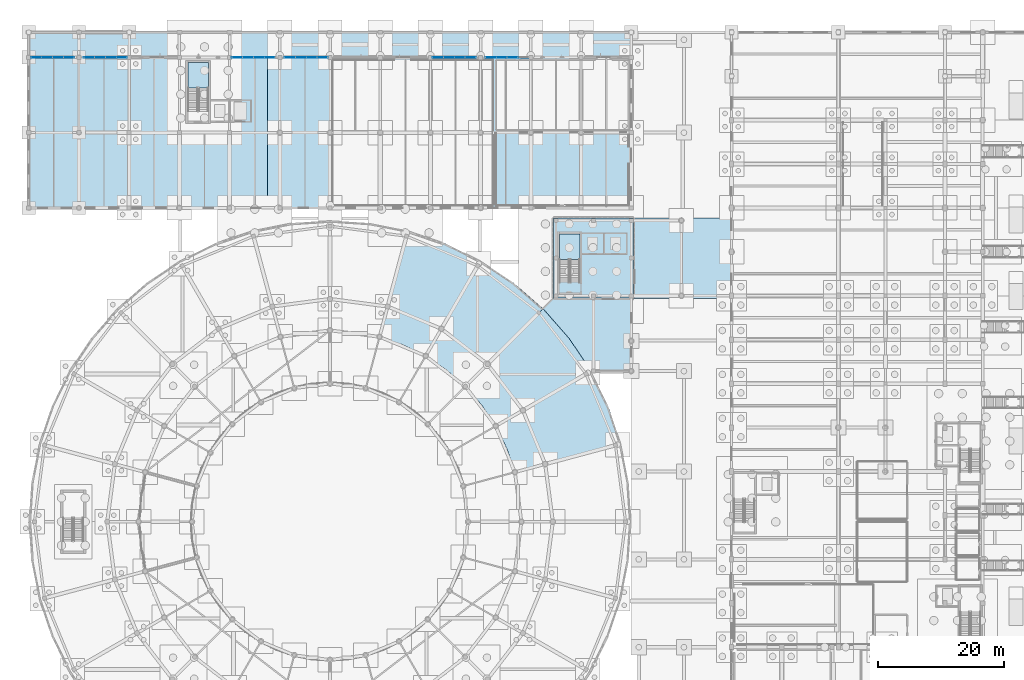
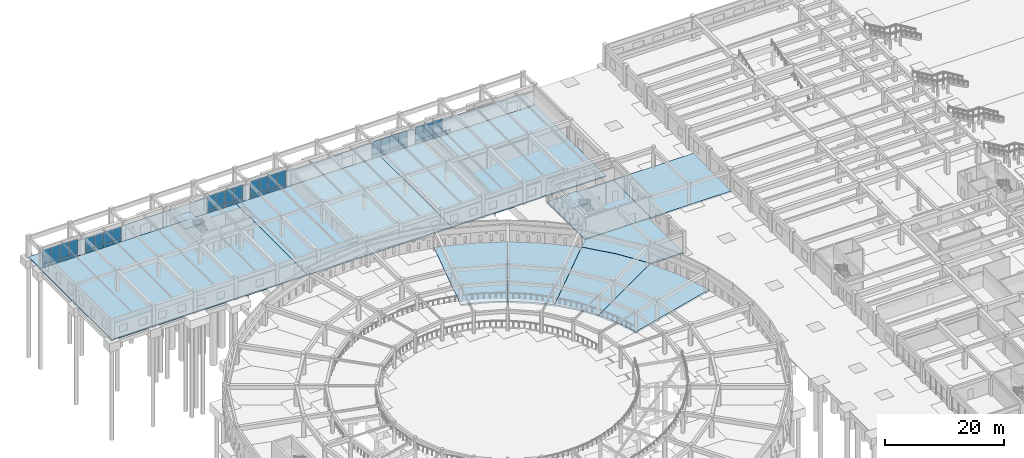
# One storey, part 38 of 84: 47 plates, 13 slabs, 8 elements without a shape of their own.
"""IFC4 building model written with IfcOpenShell, lengths in metres."""

from ifc_helpers import new_model, si_unit, direction, frame, origin, origin_2d, place, context, subcontext, project, spatial, polyline, rectangle, outline, extrude, material, layer, layer_set, type_object, element, aggregate, save


model = new_model("IFC4")

# Units and contexts
model_context = context("Model", 3, precision=1e-05, world=origin(), true_north=direction((0.0, 1.0)))
body_context = subcontext(model_context, "Body", "Model", "MODEL_VIEW")
ifc_project = project(units=[si_unit("LENGTHUNIT", "METRE"), si_unit("AREAUNIT", "SQUARE_METRE"), si_unit("VOLUMEUNIT", "CUBIC_METRE"), si_unit("PLANEANGLEUNIT", "RADIAN"), si_unit("MASSUNIT", "GRAM", prefix="KILO")], contexts=[model_context])

# Site, building, storey
site_placement = place(None, origin())
site = spatial("IfcSite", under=ifc_project, at=site_placement, CompositionType="ELEMENT")
building_placement = place(site_placement, origin())
building = spatial("IfcBuilding", under=site, at=building_placement, Name="Larkveld Mobility Hub", CompositionType="ELEMENT")
storey_placement = place(building_placement, origin())
storey = spatial("IfcBuildingStorey", under=building, at=storey_placement, Name="L00", CompositionType="ELEMENT", Elevation=0.0)

# Curtain wall, plates
ifc_material_1 = material(Name="Anodised aluminium 6063-T6", Category="aluminium")
curtain_wall_type_1 = type_object("IfcCurtainWallType", Name="CW-SYS-10", PredefinedType="NOTDEFINED", material=ifc_material_1)
curtain_wall_1_placement = place(storey_placement, origin())
curtain_wall_1 = element("IfcCurtainWall", 1, at=curtain_wall_1_placement, inside=storey, type_object=curtain_wall_type_1, Name="Bicycle Hall North Curtain Wall L00 CW-070", PredefinedType="NOTDEFINED")
ifc_material_2 = material(Name="Low-E laminated solar-control double glazing", Category="glass")
ifc_layer_1 = layer(ifc_material_2, 0.028076171875, Name="Low-E laminated solar-control double glazing", Category="glass")
ifc_layer_set_1 = layer_set([ifc_layer_1], Name="Low-E laminated solar-control double glazing")
plate_type_1 = type_object("IfcPlateType", Name="CW-PNL-GL01", PredefinedType="CURTAIN_PANEL", material=ifc_layer_set_1)
plate_1_placement = place(storey_placement, frame((46.779052734375, 122.0, 0.75), z_axis=(0.0, 0.0, 1.0), x_axis=(-1.0, 0.0, 0.0)))
plate_1 = element("IfcPlate", 2, at=plate_1_placement, type_object=plate_type_1, Name="CW10 panel 1", PredefinedType="CURTAIN_PANEL", context=body_context, shape_type="SweptSolid", body=[
    extrude(rectangle(XDim=1.69091796875, YDim=0.028076171875, at=origin_2d()), origin(), (0.0, 0.0, 1.0), 2.927978515625),
])
plate_2_placement = place(storey_placement, frame((45.068115234375, 122.0, 0.75), z_axis=(0.0, 0.0, 1.0), x_axis=(-1.0, 0.0, 0.0)))
plate_2 = element("IfcPlate", 3, at=plate_2_placement, type_object=plate_type_1, Name="CW10 panel 2", PredefinedType="CURTAIN_PANEL", context=body_context, shape_type="SweptSolid", body=[
    extrude(rectangle(XDim=1.7109375, YDim=0.028076171875, at=origin_2d()), origin(), (0.0, 0.0, 1.0), 2.927978515625),
])
plate_3_placement = place(storey_placement, frame((43.345947265625, 122.0, 0.75), z_axis=(0.0, 0.0, 1.0), x_axis=(-1.0, 0.0, 0.0)))
plate_3 = element("IfcPlate", 4, at=plate_3_placement, type_object=plate_type_1, Name="CW10 panel 3", PredefinedType="CURTAIN_PANEL", context=body_context, shape_type="SweptSolid", body=[
    extrude(rectangle(XDim=1.7109375, YDim=0.028076171875, at=origin_2d()), origin(), (0.0, 0.0, 1.0), 2.927978515625),
])
plate_4_placement = place(storey_placement, frame((41.635009765625, 122.0, 0.75), z_axis=(0.0, 0.0, 1.0), x_axis=(-1.0, 0.0, 0.0)))
plate_4 = element("IfcPlate", 5, at=plate_4_placement, type_object=plate_type_1, Name="CW10 panel 4", PredefinedType="CURTAIN_PANEL", context=body_context, shape_type="SweptSolid", body=[
    extrude(rectangle(XDim=1.69091796875, YDim=0.028076171875, at=origin_2d()), origin(), (0.0, 0.0, 1.0), 2.927978515625),
])

curtain_wall_type_2 = type_object("IfcCurtainWallType", Name="CW-SYS-01", PredefinedType="NOTDEFINED", material=ifc_material_1)
curtain_wall_2_placement = place(storey_placement, origin())
curtain_wall_2 = element("IfcCurtainWall", 6, at=curtain_wall_2_placement, inside=storey, type_object=curtain_wall_type_2, Name="Bicycle Hall North Curtain Wall L00 CW-073", PredefinedType="NOTDEFINED")
plate_5_placement = place(storey_placement, frame((70.364013671875, 122.0, 0.75), z_axis=(0.0, 0.0, 1.0), x_axis=(-1.0, 0.0, 0.0)))
plate_5 = element("IfcPlate", 7, at=plate_5_placement, type_object=plate_type_1, Name="CW01 panel 1", PredefinedType="CURTAIN_PANEL", context=body_context, shape_type="SweptSolid", body=[
    extrude(rectangle(XDim=1.69091796875, YDim=0.028076171875, at=origin_2d()), origin(), (0.0, 0.0, 1.0), 2.72802734375),
])
plate_6_placement = place(storey_placement, frame((68.654052734375, 122.0, 0.75), z_axis=(0.0, 0.0, 1.0), x_axis=(-1.0, 0.0, 0.0)))
plate_6 = element("IfcPlate", 8, at=plate_6_placement, type_object=plate_type_1, Name="CW01 panel 2", PredefinedType="CURTAIN_PANEL", context=body_context, shape_type="SweptSolid", body=[
    extrude(rectangle(XDim=1.7109375, YDim=0.028076171875, at=origin_2d()), origin(), (0.0, 0.0, 1.0), 2.72802734375),
])
plate_7_placement = place(storey_placement, frame((66.931884765625, 122.0, 0.75), z_axis=(0.0, 0.0, 1.0), x_axis=(-1.0, 0.0, 0.0)))
plate_7 = element("IfcPlate", 9, at=plate_7_placement, type_object=plate_type_1, Name="CW01 panel 3", PredefinedType="CURTAIN_PANEL", context=body_context, shape_type="SweptSolid", body=[
    extrude(rectangle(XDim=1.7109375, YDim=0.028076171875, at=origin_2d()), origin(), (0.0, 0.0, 1.0), 2.72802734375),
])
plate_8_placement = place(storey_placement, frame((65.220947265625, 122.0, 0.75), z_axis=(0.0, 0.0, 1.0), x_axis=(-1.0, 0.0, 0.0)))
plate_8 = element("IfcPlate", 10, at=plate_8_placement, type_object=plate_type_1, Name="CW01 panel 4", PredefinedType="CURTAIN_PANEL", context=body_context, shape_type="SweptSolid", body=[
    extrude(rectangle(XDim=1.69091796875, YDim=0.028076171875, at=origin_2d()), origin(), (0.0, 0.0, 1.0), 2.72802734375),
])

curtain_wall_type_3 = type_object("IfcCurtainWallType", Name="CW-SYS-08", PredefinedType="NOTDEFINED", material=ifc_material_1)
curtain_wall_3_placement = place(storey_placement, origin())
curtain_wall_3 = element("IfcCurtainWall", 11, at=curtain_wall_3_placement, inside=storey, type_object=curtain_wall_type_3, Name="Bicycle Hall North Curtain Wall L00 CW-068", PredefinedType="NOTDEFINED")
ifc_material_3 = material(Name="Acoustic solar-control laminated double glazing", Category="glass")
ifc_layer_2 = layer(ifc_material_3, 0.031982421875, Name="Acoustic solar-control laminated double glazing", Category="glass")
ifc_layer_set_2 = layer_set([ifc_layer_2], Name="Acoustic solar-control laminated double glazing")
plate_type_2 = type_object("IfcPlateType", Name="CW-PNL-GL02", PredefinedType="CURTAIN_PANEL", material=ifc_layer_set_2)
plate_9_placement = place(storey_placement, frame((14.780029296875, 122.0, 0.75), z_axis=(0.0, 0.0, 1.0), x_axis=(-1.0, 0.0, 0.0)))
plate_9 = element("IfcPlate", 12, at=plate_9_placement, type_object=plate_type_2, Name="CW08 panel 1", PredefinedType="CURTAIN_PANEL", context=body_context, shape_type="SweptSolid", body=[
    extrude(rectangle(XDim=1.69091796875, YDim=0.031982421875, at=origin_2d()), origin(), (0.0, 0.0, 1.0), 2.47802734375),
])
plate_10_placement = place(storey_placement, frame((13.069091796875, 122.0, 0.75), z_axis=(0.0, 0.0, 1.0), x_axis=(-1.0, 0.0, 0.0)))
plate_10 = element("IfcPlate", 13, at=plate_10_placement, type_object=plate_type_2, Name="CW08 panel 2", PredefinedType="CURTAIN_PANEL", context=body_context, shape_type="SweptSolid", body=[
    extrude(rectangle(XDim=1.7109375, YDim=0.031982421875, at=origin_2d()), origin(), (0.0, 0.0, 1.0), 2.47802734375),
])
plate_11_placement = place(storey_placement, frame((11.345947265625, 122.0, 0.75), z_axis=(0.0, 0.0, 1.0), x_axis=(-1.0, 0.0, 0.0)))
plate_11 = element("IfcPlate", 14, at=plate_11_placement, type_object=plate_type_2, Name="CW08 panel 3", PredefinedType="CURTAIN_PANEL", context=body_context, shape_type="SweptSolid", body=[
    extrude(rectangle(XDim=1.7109375, YDim=0.031982421875, at=origin_2d()), origin(), (0.0, 0.0, 1.0), 2.47802734375),
])
plate_12_placement = place(storey_placement, frame((9.635986328125, 122.0, 0.75), z_axis=(0.0, 0.0, 1.0), x_axis=(-1.0, 0.0, 0.0)))
plate_12 = element("IfcPlate", 15, at=plate_12_placement, type_object=plate_type_2, Name="CW08 panel 4", PredefinedType="CURTAIN_PANEL", context=body_context, shape_type="SweptSolid", body=[
    extrude(rectangle(XDim=1.69091796875, YDim=0.031982421875, at=origin_2d()), origin(), (0.0, 0.0, 1.0), 2.47802734375),
])

curtain_wall_type_4 = type_object("IfcCurtainWallType", Name="CW-SYS-11", PredefinedType="NOTDEFINED", material=ifc_material_1)
curtain_wall_4_placement = place(storey_placement, origin())
curtain_wall_4 = element("IfcCurtainWall", 16, at=curtain_wall_4_placement, inside=storey, type_object=curtain_wall_type_4, Name="Bicycle Hall North Curtain Wall L00 CW-071", PredefinedType="NOTDEFINED")
plate_13_placement = place(storey_placement, frame((38.364990234375, 122.0, 0.75), z_axis=(0.0, 0.0, 1.0), x_axis=(-1.0, 0.0, 0.0)))
plate_13 = element("IfcPlate", 17, at=plate_13_placement, type_object=plate_type_2, Name="CW11 panel 1", PredefinedType="CURTAIN_PANEL", context=body_context, shape_type="SweptSolid", body=[
    extrude(rectangle(XDim=1.69091796875, YDim=0.031982421875, at=origin_2d()), origin(), (0.0, 0.0, 1.0), 2.827880859375),
])
plate_14_placement = place(storey_placement, frame((36.653076171875, 122.0, 0.75), z_axis=(0.0, 0.0, 1.0), x_axis=(-1.0, 0.0, 0.0)))
plate_14 = element("IfcPlate", 18, at=plate_14_placement, type_object=plate_type_2, Name="CW11 panel 2", PredefinedType="CURTAIN_PANEL", context=body_context, shape_type="SweptSolid", body=[
    extrude(rectangle(XDim=1.7109375, YDim=0.031982421875, at=origin_2d()), origin(), (0.0, 0.0, 1.0), 2.827880859375),
])
plate_15_placement = place(storey_placement, frame((34.930908203125, 122.0, 0.75), z_axis=(0.0, 0.0, 1.0), x_axis=(-1.0, 0.0, 0.0)))
plate_15 = element("IfcPlate", 19, at=plate_15_placement, type_object=plate_type_2, Name="CW11 panel 3", PredefinedType="CURTAIN_PANEL", context=body_context, shape_type="SweptSolid", body=[
    extrude(rectangle(XDim=1.7109375, YDim=0.031982421875, at=origin_2d()), origin(), (0.0, 0.0, 1.0), 2.827880859375),
])
plate_16_placement = place(storey_placement, frame((33.220947265625, 122.0, 0.75), z_axis=(0.0, 0.0, 1.0), x_axis=(-1.0, 0.0, 0.0)))
plate_16 = element("IfcPlate", 20, at=plate_16_placement, type_object=plate_type_2, Name="CW11 panel 4", PredefinedType="CURTAIN_PANEL", context=body_context, shape_type="SweptSolid", body=[
    extrude(rectangle(XDim=1.69091796875, YDim=0.031982421875, at=origin_2d()), origin(), (0.0, 0.0, 1.0), 2.827880859375),
])

curtain_wall_type_5 = type_object("IfcCurtainWallType", Name="CW-SYS-09", PredefinedType="NOTDEFINED", material=ifc_material_1)
curtain_wall_5_placement = place(storey_placement, origin())
curtain_wall_5 = element("IfcCurtainWall", 21, at=curtain_wall_5_placement, inside=storey, type_object=curtain_wall_type_5, Name="Bicycle Hall North Curtain Wall L00 CW-069", PredefinedType="NOTDEFINED")
ifc_material_4 = material(Name="Tinted safety double glazing", Category="glass")
ifc_layer_3 = layer(ifc_material_4, 0.035888671875, Name="Tinted safety double glazing", Category="glass")
ifc_layer_set_3 = layer_set([ifc_layer_3], Name="Tinted safety double glazing")
plate_type_3 = type_object("IfcPlateType", Name="CW-PNL-GL03", PredefinedType="CURTAIN_PANEL", material=ifc_layer_set_3)
plate_17_placement = place(storey_placement, frame((6.364013671875, 122.0, 0.75), z_axis=(0.0, 0.0, 1.0), x_axis=(-1.0, 0.0, 0.0)))
plate_17 = element("IfcPlate", 22, at=plate_17_placement, type_object=plate_type_3, Name="CW09 panel 1", PredefinedType="CURTAIN_PANEL", context=body_context, shape_type="SweptSolid", body=[
    extrude(rectangle(XDim=1.69091796875, YDim=0.035888671875, at=origin_2d()), origin(), (0.0, 0.0, 1.0), 2.927978515625),
])
plate_18_placement = place(storey_placement, frame((4.653076171875, 122.0, 0.75), z_axis=(0.0, 0.0, 1.0), x_axis=(-1.0, 0.0, 0.0)))
plate_18 = element("IfcPlate", 23, at=plate_18_placement, type_object=plate_type_3, Name="CW09 panel 2", PredefinedType="CURTAIN_PANEL", context=body_context, shape_type="SweptSolid", body=[
    extrude(rectangle(XDim=1.7109375, YDim=0.035888671875, at=origin_2d()), origin(), (0.0, 0.0, 1.0), 2.927978515625),
])
plate_19_placement = place(storey_placement, frame((2.930908203125, 122.0, 0.75), z_axis=(0.0, 0.0, 1.0), x_axis=(-1.0, 0.0, 0.0)))
plate_19 = element("IfcPlate", 24, at=plate_19_placement, type_object=plate_type_3, Name="CW09 panel 3", PredefinedType="CURTAIN_PANEL", context=body_context, shape_type="SweptSolid", body=[
    extrude(rectangle(XDim=1.7109375, YDim=0.035888671875, at=origin_2d()), origin(), (0.0, 0.0, 1.0), 2.927978515625),
])
plate_20_placement = place(storey_placement, frame((1.219970703125, 122.0, 0.75), z_axis=(0.0, 0.0, 1.0), x_axis=(-1.0, 0.0, 0.0)))
plate_20 = element("IfcPlate", 25, at=plate_20_placement, type_object=plate_type_3, Name="CW09 panel 4", PredefinedType="CURTAIN_PANEL", context=body_context, shape_type="SweptSolid", body=[
    extrude(rectangle(XDim=1.69091796875, YDim=0.035888671875, at=origin_2d()), origin(), (0.0, 0.0, 1.0), 2.927978515625),
])

curtain_wall_type_6 = type_object("IfcCurtainWallType", Name="CW-SYS-12", PredefinedType="NOTDEFINED", material=ifc_material_1)
curtain_wall_6_placement = place(storey_placement, origin())
curtain_wall_6 = element("IfcCurtainWall", 26, at=curtain_wall_6_placement, inside=storey, type_object=curtain_wall_type_6, Name="Bicycle Hall North Curtain Wall L00 CW-072", PredefinedType="NOTDEFINED")
plate_21_placement = place(storey_placement, frame((77.069091796875, 122.0, 0.75), z_axis=(0.0, 0.0, 1.0), x_axis=(-1.0, 0.0, 0.0)))
plate_21 = element("IfcPlate", 27, at=plate_21_placement, type_object=plate_type_3, Name="CW12 panel 2", PredefinedType="CURTAIN_PANEL", context=body_context, shape_type="SweptSolid", body=[
    extrude(rectangle(XDim=1.7109375, YDim=0.035888671875, at=origin_2d()), origin(), (0.0, 0.0, 1.0), 2.827880859375),
])
plate_22_placement = place(storey_placement, frame((75.346923828125, 122.0, 0.75), z_axis=(0.0, 0.0, 1.0), x_axis=(-1.0, 0.0, 0.0)))
plate_22 = element("IfcPlate", 28, at=plate_22_placement, type_object=plate_type_3, Name="CW12 panel 3", PredefinedType="CURTAIN_PANEL", context=body_context, shape_type="SweptSolid", body=[
    extrude(rectangle(XDim=1.7109375, YDim=0.035888671875, at=origin_2d()), origin(), (0.0, 0.0, 1.0), 2.827880859375),
])
plate_23_placement = place(storey_placement, frame((73.635986328125, 122.0, 0.75), z_axis=(0.0, 0.0, 1.0), x_axis=(-1.0, 0.0, 0.0)))
plate_23 = element("IfcPlate", 29, at=plate_23_placement, type_object=plate_type_3, Name="CW12 panel 4", PredefinedType="CURTAIN_PANEL", context=body_context, shape_type="SweptSolid", body=[
    extrude(rectangle(XDim=1.69091796875, YDim=0.035888671875, at=origin_2d()), origin(), (0.0, 0.0, 1.0), 2.827880859375),
])

# Plate
ifc_material_5 = material(Name="Insulated fluoropolymer aluminium spandrel", Category="aluminium")
ifc_layer_4 = layer(ifc_material_5, 0.06494140625, Name="Insulated fluoropolymer aluminium spandrel", Category="aluminium")
ifc_layer_set_4 = layer_set([ifc_layer_4], Name="Insulated fluoropolymer aluminium spandrel")
plate_type_4 = type_object("IfcPlateType", Name="CW-PNL-SP01", PredefinedType="CURTAIN_PANEL", material=ifc_layer_set_4)
plate_24_placement = place(storey_placement, frame((6.364013671875, 122.0, 0.0), z_axis=(0.0, 0.0, 1.0), x_axis=(-1.0, 0.0, 0.0)))
plate_24 = element("IfcPlate", 30, at=plate_24_placement, type_object=plate_type_4, Name="CW09 spandrel 1", PredefinedType="CURTAIN_PANEL", context=body_context, shape_type="SweptSolid", body=[
    extrude(rectangle(XDim=1.69091796875, YDim=0.06494140625, at=origin_2d()), origin(), (0.0, 0.0, 1.0), 0.738037109375),
])

plate_25_placement = place(storey_placement, frame((4.653076171875, 122.0, 0.0), z_axis=(0.0, 0.0, 1.0), x_axis=(-1.0, 0.0, 0.0)))
plate_25 = element("IfcPlate", 31, at=plate_25_placement, type_object=plate_type_4, Name="CW09 spandrel 2", PredefinedType="CURTAIN_PANEL", context=body_context, shape_type="SweptSolid", body=[
    extrude(rectangle(XDim=1.7109375, YDim=0.06494140625, at=origin_2d()), origin(), (0.0, 0.0, 1.0), 0.738037109375),
])

plate_26_placement = place(storey_placement, frame((2.930908203125, 122.0, 0.0), z_axis=(0.0, 0.0, 1.0), x_axis=(-1.0, 0.0, 0.0)))
plate_26 = element("IfcPlate", 32, at=plate_26_placement, type_object=plate_type_4, Name="CW09 spandrel 3", PredefinedType="CURTAIN_PANEL", context=body_context, shape_type="SweptSolid", body=[
    extrude(rectangle(XDim=1.7109375, YDim=0.06494140625, at=origin_2d()), origin(), (0.0, 0.0, 1.0), 0.738037109375),
])

plate_27_placement = place(storey_placement, frame((1.219970703125, 122.0, 0.0), z_axis=(0.0, 0.0, 1.0), x_axis=(-1.0, 0.0, 0.0)))
plate_27 = element("IfcPlate", 33, at=plate_27_placement, type_object=plate_type_4, Name="CW09 spandrel 4", PredefinedType="CURTAIN_PANEL", context=body_context, shape_type="SweptSolid", body=[
    extrude(rectangle(XDim=1.69091796875, YDim=0.06494140625, at=origin_2d()), origin(), (0.0, 0.0, 1.0), 0.738037109375),
])

aggregate(curtain_wall_5, [plate_24, plate_17, plate_25, plate_18, plate_26, plate_19, plate_27, plate_20])

plate_28_placement = place(storey_placement, frame((38.364990234375, 122.0, 0.0), z_axis=(0.0, 0.0, 1.0), x_axis=(-1.0, 0.0, 0.0)))
plate_28 = element("IfcPlate", 34, at=plate_28_placement, type_object=plate_type_4, Name="CW11 spandrel 1", PredefinedType="CURTAIN_PANEL", context=body_context, shape_type="SweptSolid", body=[
    extrude(rectangle(XDim=1.69091796875, YDim=0.06494140625, at=origin_2d()), origin(), (0.0, 0.0, 1.0), 0.738037109375),
])

plate_29_placement = place(storey_placement, frame((36.653076171875, 122.0, 0.0), z_axis=(0.0, 0.0, 1.0), x_axis=(-1.0, 0.0, 0.0)))
plate_29 = element("IfcPlate", 35, at=plate_29_placement, type_object=plate_type_4, Name="CW11 spandrel 2", PredefinedType="CURTAIN_PANEL", context=body_context, shape_type="SweptSolid", body=[
    extrude(rectangle(XDim=1.7109375, YDim=0.06494140625, at=origin_2d()), origin(), (0.0, 0.0, 1.0), 0.738037109375),
])

plate_30_placement = place(storey_placement, frame((34.930908203125, 122.0, 0.0), z_axis=(0.0, 0.0, 1.0), x_axis=(-1.0, 0.0, 0.0)))
plate_30 = element("IfcPlate", 36, at=plate_30_placement, type_object=plate_type_4, Name="CW11 spandrel 3", PredefinedType="CURTAIN_PANEL", context=body_context, shape_type="SweptSolid", body=[
    extrude(rectangle(XDim=1.7109375, YDim=0.06494140625, at=origin_2d()), origin(), (0.0, 0.0, 1.0), 0.738037109375),
])

plate_31_placement = place(storey_placement, frame((33.220947265625, 122.0, 0.0), z_axis=(0.0, 0.0, 1.0), x_axis=(-1.0, 0.0, 0.0)))
plate_31 = element("IfcPlate", 37, at=plate_31_placement, type_object=plate_type_4, Name="CW11 spandrel 4", PredefinedType="CURTAIN_PANEL", context=body_context, shape_type="SweptSolid", body=[
    extrude(rectangle(XDim=1.69091796875, YDim=0.06494140625, at=origin_2d()), origin(), (0.0, 0.0, 1.0), 0.738037109375),
])

aggregate(curtain_wall_4, [plate_28, plate_13, plate_29, plate_14, plate_30, plate_15, plate_31, plate_16])

plate_32_placement = place(storey_placement, frame((70.364013671875, 122.0, 0.0), z_axis=(0.0, 0.0, 1.0), x_axis=(-1.0, 0.0, 0.0)))
plate_32 = element("IfcPlate", 38, at=plate_32_placement, type_object=plate_type_4, Name="CW01 spandrel 1", PredefinedType="CURTAIN_PANEL", context=body_context, shape_type="SweptSolid", body=[
    extrude(rectangle(XDim=1.69091796875, YDim=0.06494140625, at=origin_2d()), origin(), (0.0, 0.0, 1.0), 0.738037109375),
])

plate_33_placement = place(storey_placement, frame((68.654052734375, 122.0, 0.0), z_axis=(0.0, 0.0, 1.0), x_axis=(-1.0, 0.0, 0.0)))
plate_33 = element("IfcPlate", 39, at=plate_33_placement, type_object=plate_type_4, Name="CW01 spandrel 2", PredefinedType="CURTAIN_PANEL", context=body_context, shape_type="SweptSolid", body=[
    extrude(rectangle(XDim=1.7109375, YDim=0.06494140625, at=origin_2d()), origin(), (0.0, 0.0, 1.0), 0.738037109375),
])

plate_34_placement = place(storey_placement, frame((66.931884765625, 122.0, 0.0), z_axis=(0.0, 0.0, 1.0), x_axis=(-1.0, 0.0, 0.0)))
plate_34 = element("IfcPlate", 40, at=plate_34_placement, type_object=plate_type_4, Name="CW01 spandrel 3", PredefinedType="CURTAIN_PANEL", context=body_context, shape_type="SweptSolid", body=[
    extrude(rectangle(XDim=1.7109375, YDim=0.06494140625, at=origin_2d()), origin(), (0.0, 0.0, 1.0), 0.738037109375),
])

plate_35_placement = place(storey_placement, frame((65.220947265625, 122.0, 0.0), z_axis=(0.0, 0.0, 1.0), x_axis=(-1.0, 0.0, 0.0)))
plate_35 = element("IfcPlate", 41, at=plate_35_placement, type_object=plate_type_4, Name="CW01 spandrel 4", PredefinedType="CURTAIN_PANEL", context=body_context, shape_type="SweptSolid", body=[
    extrude(rectangle(XDim=1.69091796875, YDim=0.06494140625, at=origin_2d()), origin(), (0.0, 0.0, 1.0), 0.738037109375),
])

aggregate(curtain_wall_2, [plate_32, plate_5, plate_33, plate_6, plate_34, plate_7, plate_35, plate_8])

ifc_material_6 = material(Name="Insulated terracotta-toned aluminium spandrel", Category="masonry")
ifc_layer_5 = layer(ifc_material_6, 0.080078125, Name="Insulated terracotta-toned aluminium spandrel", Category="masonry")
ifc_layer_set_5 = layer_set([ifc_layer_5], Name="Insulated terracotta-toned aluminium spandrel")
plate_type_5 = type_object("IfcPlateType", Name="CW-PNL-SP02", PredefinedType="CURTAIN_PANEL", material=ifc_layer_set_5)
plate_36_placement = place(storey_placement, frame((14.780029296875, 122.0, 0.0), z_axis=(0.0, 0.0, 1.0), x_axis=(-1.0, 0.0, 0.0)))
plate_36 = element("IfcPlate", 42, at=plate_36_placement, type_object=plate_type_5, Name="CW08 spandrel 1", PredefinedType="CURTAIN_PANEL", context=body_context, shape_type="SweptSolid", body=[
    extrude(rectangle(XDim=1.69091796875, YDim=0.080078125, at=origin_2d()), origin(), (0.0, 0.0, 1.0), 0.738037109375),
])

plate_37_placement = place(storey_placement, frame((13.069091796875, 122.0, 0.0), z_axis=(0.0, 0.0, 1.0), x_axis=(-1.0, 0.0, 0.0)))
plate_37 = element("IfcPlate", 43, at=plate_37_placement, type_object=plate_type_5, Name="CW08 spandrel 2", PredefinedType="CURTAIN_PANEL", context=body_context, shape_type="SweptSolid", body=[
    extrude(rectangle(XDim=1.7109375, YDim=0.080078125, at=origin_2d()), origin(), (0.0, 0.0, 1.0), 0.738037109375),
])

plate_38_placement = place(storey_placement, frame((11.345947265625, 122.0, 0.0), z_axis=(0.0, 0.0, 1.0), x_axis=(-1.0, 0.0, 0.0)))
plate_38 = element("IfcPlate", 44, at=plate_38_placement, type_object=plate_type_5, Name="CW08 spandrel 3", PredefinedType="CURTAIN_PANEL", context=body_context, shape_type="SweptSolid", body=[
    extrude(rectangle(XDim=1.7109375, YDim=0.080078125, at=origin_2d()), origin(), (0.0, 0.0, 1.0), 0.738037109375),
])

plate_39_placement = place(storey_placement, frame((9.635986328125, 122.0, 0.0), z_axis=(0.0, 0.0, 1.0), x_axis=(-1.0, 0.0, 0.0)))
plate_39 = element("IfcPlate", 45, at=plate_39_placement, type_object=plate_type_5, Name="CW08 spandrel 4", PredefinedType="CURTAIN_PANEL", context=body_context, shape_type="SweptSolid", body=[
    extrude(rectangle(XDim=1.69091796875, YDim=0.080078125, at=origin_2d()), origin(), (0.0, 0.0, 1.0), 0.738037109375),
])

aggregate(curtain_wall_3, [plate_36, plate_9, plate_37, plate_10, plate_38, plate_11, plate_39, plate_12])

plate_40_placement = place(storey_placement, frame((46.779052734375, 122.0, 0.0), z_axis=(0.0, 0.0, 1.0), x_axis=(-1.0, 0.0, 0.0)))
plate_40 = element("IfcPlate", 46, at=plate_40_placement, type_object=plate_type_5, Name="CW10 spandrel 1", PredefinedType="CURTAIN_PANEL", context=body_context, shape_type="SweptSolid", body=[
    extrude(rectangle(XDim=1.69091796875, YDim=0.080078125, at=origin_2d()), origin(), (0.0, 0.0, 1.0), 0.738037109375),
])

plate_41_placement = place(storey_placement, frame((45.068115234375, 122.0, 0.0), z_axis=(0.0, 0.0, 1.0), x_axis=(-1.0, 0.0, 0.0)))
plate_41 = element("IfcPlate", 47, at=plate_41_placement, type_object=plate_type_5, Name="CW10 spandrel 2", PredefinedType="CURTAIN_PANEL", context=body_context, shape_type="SweptSolid", body=[
    extrude(rectangle(XDim=1.7109375, YDim=0.080078125, at=origin_2d()), origin(), (0.0, 0.0, 1.0), 0.738037109375),
])

plate_42_placement = place(storey_placement, frame((43.345947265625, 122.0, 0.0), z_axis=(0.0, 0.0, 1.0), x_axis=(-1.0, 0.0, 0.0)))
plate_42 = element("IfcPlate", 48, at=plate_42_placement, type_object=plate_type_5, Name="CW10 spandrel 3", PredefinedType="CURTAIN_PANEL", context=body_context, shape_type="SweptSolid", body=[
    extrude(rectangle(XDim=1.7109375, YDim=0.080078125, at=origin_2d()), origin(), (0.0, 0.0, 1.0), 0.738037109375),
])

plate_43_placement = place(storey_placement, frame((41.635009765625, 122.0, 0.0), z_axis=(0.0, 0.0, 1.0), x_axis=(-1.0, 0.0, 0.0)))
plate_43 = element("IfcPlate", 49, at=plate_43_placement, type_object=plate_type_5, Name="CW10 spandrel 4", PredefinedType="CURTAIN_PANEL", context=body_context, shape_type="SweptSolid", body=[
    extrude(rectangle(XDim=1.69091796875, YDim=0.080078125, at=origin_2d()), origin(), (0.0, 0.0, 1.0), 0.738037109375),
])

aggregate(curtain_wall_1, [plate_40, plate_1, plate_41, plate_2, plate_42, plate_3, plate_43, plate_4])

plate_44_placement = place(storey_placement, frame((78.779052734375, 122.0, 0.0), z_axis=(0.0, 0.0, 1.0), x_axis=(-1.0, 0.0, 0.0)))
plate_44 = element("IfcPlate", 50, at=plate_44_placement, type_object=plate_type_5, Name="CW12 spandrel 1", PredefinedType="CURTAIN_PANEL", context=body_context, shape_type="SweptSolid", body=[
    extrude(rectangle(XDim=1.69091796875, YDim=0.080078125, at=origin_2d()), origin(), (0.0, 0.0, 1.0), 0.738037109375),
])

plate_45_placement = place(storey_placement, frame((77.069091796875, 122.0, 0.0), z_axis=(0.0, 0.0, 1.0), x_axis=(-1.0, 0.0, 0.0)))
plate_45 = element("IfcPlate", 51, at=plate_45_placement, type_object=plate_type_5, Name="CW12 spandrel 2", PredefinedType="CURTAIN_PANEL", context=body_context, shape_type="SweptSolid", body=[
    extrude(rectangle(XDim=1.7109375, YDim=0.080078125, at=origin_2d()), origin(), (0.0, 0.0, 1.0), 0.738037109375),
])

plate_46_placement = place(storey_placement, frame((75.346923828125, 122.0, 0.0), z_axis=(0.0, 0.0, 1.0), x_axis=(-1.0, 0.0, 0.0)))
plate_46 = element("IfcPlate", 52, at=plate_46_placement, type_object=plate_type_5, Name="CW12 spandrel 3", PredefinedType="CURTAIN_PANEL", context=body_context, shape_type="SweptSolid", body=[
    extrude(rectangle(XDim=1.7109375, YDim=0.080078125, at=origin_2d()), origin(), (0.0, 0.0, 1.0), 0.738037109375),
])

plate_47_placement = place(storey_placement, frame((73.635986328125, 122.0, 0.0), z_axis=(0.0, 0.0, 1.0), x_axis=(-1.0, 0.0, 0.0)))
plate_47 = element("IfcPlate", 53, at=plate_47_placement, type_object=plate_type_5, Name="CW12 spandrel 4", PredefinedType="CURTAIN_PANEL", context=body_context, shape_type="SweptSolid", body=[
    extrude(rectangle(XDim=1.69091796875, YDim=0.080078125, at=origin_2d()), origin(), (0.0, 0.0, 1.0), 0.738037109375),
])

aggregate(curtain_wall_6, [plate_44, plate_45, plate_21, plate_46, plate_22, plate_47, plate_23])

# Slabs
ifc_material_7 = material(Name="Concrete C40/50", Category="concrete")
ifc_layer_6 = layer(ifc_material_7, 0.25, Name="Concrete C40/50", Category="concrete")
ifc_layer_set_6 = layer_set([ifc_layer_6], Name="Concrete C40/50")
slab_type_1 = type_object("IfcSlabType", Name="SL-BS-250", PredefinedType="BASESLAB", material=ifc_layer_set_6)
slab_1_placement = place(storey_placement, frame((0.0, 0.0, -0.25)))
element("IfcSlab", 54, at=slab_1_placement, inside=storey, type_object=slab_type_1, Name="Bicycle Hall Floor Slab L00-097", PredefinedType="BASESLAB", context=body_context, shape_type="SweptSolid", body=[
    extrude(outline(polyline([(0.0, 98.0), (38.0, 98.0), (38.0, 122.0), (0.0, 122.0), (0.0, 98.0)])), origin(), (0.0, 0.0, 1.0), 0.25),
])
slab_2_placement = place(storey_placement, frame((0.0, 0.0, -0.25)))
element("IfcSlab", 55, at=slab_2_placement, inside=storey, type_object=slab_type_1, Name="Bicycle Hall Floor Slab L00-098", PredefinedType="BASESLAB", context=body_context, shape_type="SweptSolid", body=[
    extrude(outline(polyline([(38.0, 98.0), (66.0, 98.0), (66.0, 122.0), (38.0, 122.0), (38.0, 98.0)])), origin(), (0.0, 0.0, 1.0), 0.25),
])
slab_3_placement = place(storey_placement, frame((0.0, 0.0, -0.25)))
element("IfcSlab", 56, at=slab_3_placement, inside=storey, type_object=slab_type_1, Name="Bicycle Hall Floor Slab L00-099", PredefinedType="BASESLAB", context=body_context, shape_type="SweptSolid", body=[
    extrude(outline(polyline([(66.0, 98.0), (96.0, 98.0), (96.0, 122.0), (66.0, 122.0), (66.0, 98.0)])), origin(), (0.0, 0.0, 1.0), 0.25),
])
ifc_layer_7 = layer(ifc_material_7, 0.27490234375, Name="Concrete C40/50", Category="concrete")
ifc_layer_set_7 = layer_set([ifc_layer_7], Name="Concrete C40/50")
slab_type_2 = type_object("IfcSlabType", Name="SL-BS-275", PredefinedType="BASESLAB", material=ifc_layer_set_7)
slab_4_placement = place(storey_placement, frame((0.0, 0.0, -0.27490234375)))
element("IfcSlab", 57, at=slab_4_placement, inside=storey, type_object=slab_type_2, Name="Concourse Under-Bridge Apron Slab L00-003", PredefinedType="BASESLAB", context=body_context, shape_type="SweptSolid", body=[
    extrude(outline(polyline([(96.389892578125, 83.610107421875), (112.0, 83.610107421875), (112.0, 96.389892578125), (96.389892578125, 96.389892578125), (96.389892578125, 83.610107421875)])), origin(), (0.0, 0.0, 1.0), 0.27490234375),
])
slab_5_placement = place(storey_placement, frame((0.0, 0.0, -0.27490234375)))
element("IfcSlab", 58, at=slab_5_placement, inside=storey, type_object=slab_type_2, Name="Drum Parking Deck Slab L00-008", PredefinedType="BASESLAB", context=body_context, shape_type="SweptSolid", body=[
    extrude(outline(polyline([(89.569091796875, 72.0), (86.0810546875, 77.220947265625), (81.94091796875, 81.94091796875), (69.56689453125, 69.56689453125), (72.197021484375, 66.56689453125), (74.4140625, 63.25), (89.569091796875, 72.0)])), origin(), (0.0, 0.0, 1.0), 0.27490234375),
])
slab_6_placement = place(storey_placement, frame((0.0, 0.0, -0.27490234375)))
element("IfcSlab", 59, at=slab_6_placement, inside=storey, type_object=slab_type_2, Name="Drum Parking Deck Slab L00-010", PredefinedType="BASESLAB", context=body_context, shape_type="SweptSolid", body=[
    extrude(outline(polyline([(72.0, 89.569091796875), (66.368896484375, 92.345947265625), (60.423095703125, 94.364013671875), (55.89404296875, 77.4609375), (59.672119140625, 76.177978515625), (63.25, 74.4140625), (72.0, 89.569091796875)])), origin(), (0.0, 0.0, 1.0), 0.27490234375),
])
slab_7_placement = place(storey_placement, frame((0.0, 0.0, -0.27490234375)))
element("IfcSlab", 60, at=slab_7_placement, inside=storey, type_object=slab_type_2, Name="Pavilion Core Slab L00-085", PredefinedType="BASESLAB", context=body_context, shape_type="SweptSolid", body=[
    extrude(outline(polyline([(83.6298828125, 83.6298828125), (96.3701171875, 83.6298828125), (96.3701171875, 96.3701171875), (83.6298828125, 96.3701171875), (83.6298828125, 83.6298828125)])), origin(), (0.0, 0.0, 1.0), 0.27490234375),
])
slab_8_placement = place(storey_placement, frame((0.0, 0.0, -0.27490234375)))
element("IfcSlab", 61, at=slab_8_placement, inside=storey, type_object=slab_type_2, Name="Drum Pavilion Link Slab L00-086", PredefinedType="BASESLAB", context=body_context, shape_type="SweptSolid", body=[
    extrude(outline(polyline([(89.5869140625, 72.010009765625), (95.97998046875, 72.010009765625), (95.97998046875, 83.610107421875), (83.6298828125, 83.610107421875), (81.955078125, 81.955078125), (86.096923828125, 77.23291015625), (89.5869140625, 72.010009765625)])), origin(), (0.0, 0.0, 1.0), 0.27490234375),
])
ifc_layer_8 = layer(ifc_material_7, 0.35009765625, Name="Concrete C40/50", Category="concrete")
ifc_layer_set_8 = layer_set([ifc_layer_8], Name="Concrete C40/50")
slab_type_3 = type_object("IfcSlabType", Name="SL-BS-350", PredefinedType="BASESLAB", material=ifc_layer_set_8)
slab_9_placement = place(storey_placement, frame((0.0, 0.0, -0.35009765625)))
element("IfcSlab", 62, at=slab_9_placement, inside=storey, type_object=slab_type_3, Name="Drum Parking Deck Slab L00-007", PredefinedType="BASESLAB", context=body_context, shape_type="SweptSolid", body=[
    extrude(outline(polyline([(94.364013671875, 60.423095703125), (92.345947265625, 66.368896484375), (89.569091796875, 72.0), (74.4140625, 63.25), (76.177978515625, 59.672119140625), (77.4609375, 55.89404296875), (94.364013671875, 60.423095703125)])), origin(), (0.0, 0.0, 1.0), 0.35009765625),
])
slab_10_placement = place(storey_placement, frame((0.0, 0.0, -0.35009765625)))
element("IfcSlab", 63, at=slab_10_placement, inside=storey, type_object=slab_type_3, Name="Drum Parking Deck Slab L00-009", PredefinedType="BASESLAB", context=body_context, shape_type="SweptSolid", body=[
    extrude(outline(polyline([(81.94091796875, 81.94091796875), (77.220947265625, 86.0810546875), (72.0, 89.569091796875), (63.25, 74.4140625), (66.56689453125, 72.197021484375), (69.56689453125, 69.56689453125), (81.94091796875, 81.94091796875)])), origin(), (0.0, 0.0, 1.0), 0.35009765625),
])

# Stair, slab
stair_type_1 = type_object("IfcStairType", Name="ST-HT-05", PredefinedType="HALF_TURN_STAIR", material=ifc_material_7)
stair_1_placement = place(storey_placement, origin())
stair_1 = element("IfcStair", 64, at=stair_1_placement, inside=storey, type_object=stair_type_1, Name="L00 Protected Escape Stair ST5", PredefinedType="HALF_TURN_STAIR")
ifc_layer_9 = layer(ifc_material_7, 0.215087890625, Name="Concrete C40/50", Category="concrete")
ifc_layer_set_9 = layer_set([ifc_layer_9], Name="Concrete C40/50")
slab_type_4 = type_object("IfcSlabType", Name="SL-LND-05", PredefinedType="LANDING", material=ifc_layer_set_9)
slab_11_placement = place(storey_placement, frame((0.0, 0.0, 2.034912109375)))
slab_11 = element("IfcSlab", 65, at=slab_11_placement, type_object=slab_type_4, Name="ST5 landing 1", PredefinedType="LANDING", context=body_context, shape_type="SweptSolid", body=[
    extrude(outline(polyline([(87.800048828125, 89.804931640625), (87.800048828125, 93.85009765625), (84.550048828125, 93.85009765625), (84.550048828125, 89.804931640625), (87.800048828125, 89.804931640625)])), origin(), (0.0, 0.0, 1.0), 0.215087890625),
])
aggregate(stair_1, [slab_11])

stair_type_2 = type_object("IfcStairType", Name="ST-HT-06", PredefinedType="HALF_TURN_STAIR", material=ifc_material_7)
stair_2_placement = place(storey_placement, origin())
stair_2 = element("IfcStair", 66, at=stair_2_placement, inside=storey, type_object=stair_type_2, Name="L00 Protected Escape Stair ST6", PredefinedType="HALF_TURN_STAIR")
ifc_layer_10 = layer(ifc_material_7, 0.22509765625, Name="Concrete C40/50", Category="concrete")
ifc_layer_set_10 = layer_set([ifc_layer_10], Name="Concrete C40/50")
slab_type_5 = type_object("IfcSlabType", Name="SL-LND-06", PredefinedType="LANDING", material=ifc_layer_set_10)
slab_12_placement = place(storey_placement, frame((0.0, 0.0, 2.02490234375)))
slab_12 = element("IfcSlab", 67, at=slab_12_placement, type_object=slab_type_5, Name="ST6 landing 1", PredefinedType="LANDING", context=body_context, shape_type="SweptSolid", body=[
    extrude(outline(polyline([(28.60009765625, 117.10498046875), (28.60009765625, 121.14990234375), (25.35009765625, 121.14990234375), (25.35009765625, 117.10498046875), (28.60009765625, 117.10498046875)])), origin(), (0.0, 0.0, 1.0), 0.22509765625),
])
aggregate(stair_2, [slab_12])

# Slab
ifc_material_8 = material(Name="Precast concrete C40/50", Category="concrete")
ifc_layer_11 = layer(ifc_material_8, 0.175048828125, Name="Precast concrete C40/50", Category="concrete")
ifc_layer_set_11 = layer_set([ifc_layer_11], Name="Precast concrete C40/50")
slab_type_6 = type_object("IfcSlabType", Name="SL-PAV-175", PredefinedType="USERDEFINED", material=ifc_layer_set_11)
slab_13_placement = place(storey_placement, frame((0.0, 0.0, -0.175048828125)))
element("IfcSlab", 68, at=slab_13_placement, inside=storey, type_object=slab_type_6, Name="North Ridgeway Colonnade Paving L00-005", ObjectType="PAVING", PredefinedType="USERDEFINED", context=body_context, shape_type="SweptSolid", body=[
    extrude(outline(polyline([(0.0, 122.0), (96.0, 122.0), (96.0, 126.0), (0.0, 126.0), (0.0, 122.0)])), origin(), (0.0, 0.0, 1.0), 0.175048828125),
])

save(model, "model.ifc")
